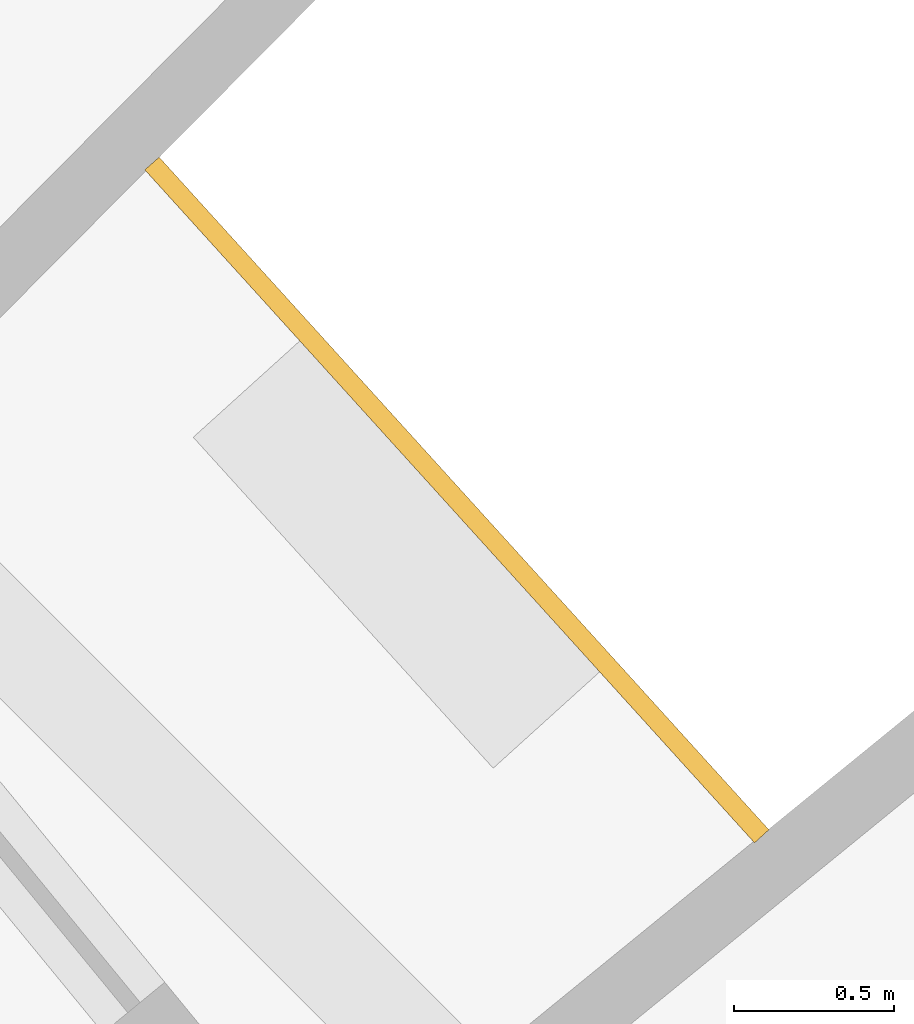
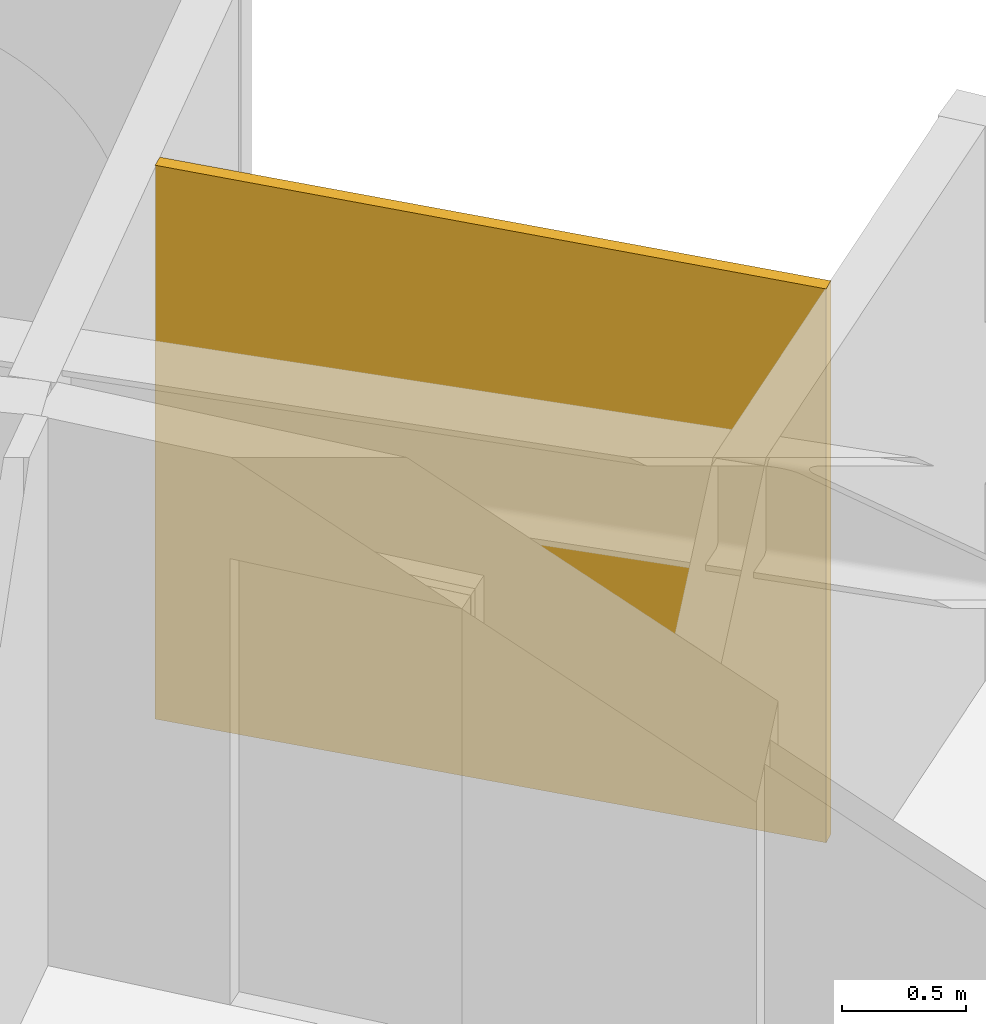
# One storey, part 26 of 26: 1 railing.
"""IFC4 building model written with IfcOpenShell, lengths in metres."""

from ifc_helpers import new_model, si_unit, direction, frame, origin, place, context, subcontext, project, spatial, polyline, outline, extrude, material, layer, layer_set, type_object, element, save


model = new_model("IFC4")

# Units and contexts
model_context = context("Model", 3, precision=1e-05, world=origin(), true_north=direction((0.0, 1.0)))
body_context = subcontext(model_context, "Body", "Model", "MODEL_VIEW")
ifc_project = project(units=[si_unit("LENGTHUNIT", "METRE"), si_unit("AREAUNIT", "SQUARE_METRE"), si_unit("VOLUMEUNIT", "CUBIC_METRE"), si_unit("PLANEANGLEUNIT", "RADIAN"), si_unit("MASSUNIT", "GRAM", prefix="KILO")], contexts=[model_context])

# Site, building, storey
site_placement = place(None, origin())
site = spatial("IfcSite", under=ifc_project, at=site_placement, CompositionType="ELEMENT")
building_placement = place(site_placement, origin())
building = spatial("IfcBuilding", under=site, at=building_placement, Name="Maasbend Ring Residences", CompositionType="ELEMENT")
storey_placement = place(building_placement, frame((0.0, 0.0, 72.75)))
storey = spatial("IfcBuildingStorey", under=building, at=storey_placement, Name="L20", CompositionType="ELEMENT", Elevation=72.75)

# Railing
ifc_material = material(Name="Pale anodised perforated aluminium", Category="aluminium")
ifc_layer = layer(ifc_material, 0.06005859375)
ifc_layer_set = layer_set([ifc_layer], Name="SCREEN-P")
railing_type = type_object("IfcRailingType", Name="SCREEN-P", PredefinedType="GUARDRAIL", material=ifc_layer_set)
railing_placement = place(storey_placement, frame((0.0, 0.0, -0.030029296875)))
element("IfcRailing", 1, at=railing_placement, inside=storey, type_object=railing_type, Name="Perforated screen guard 1", PredefinedType="GUARDRAIL", context=body_context, shape_type="SweptSolid", body=[
    extrude(outline(polyline([(22.4169921875, 18.39697265625), (20.506103515625, 20.506103515625), (20.551025390625, 20.5458984375), (22.4619140625, 18.43798828125), (22.4169921875, 18.39697265625)])), origin(), (0.0, 0.0, 1.0), 2.72998046875),
])

save(model, "model.ifc")
